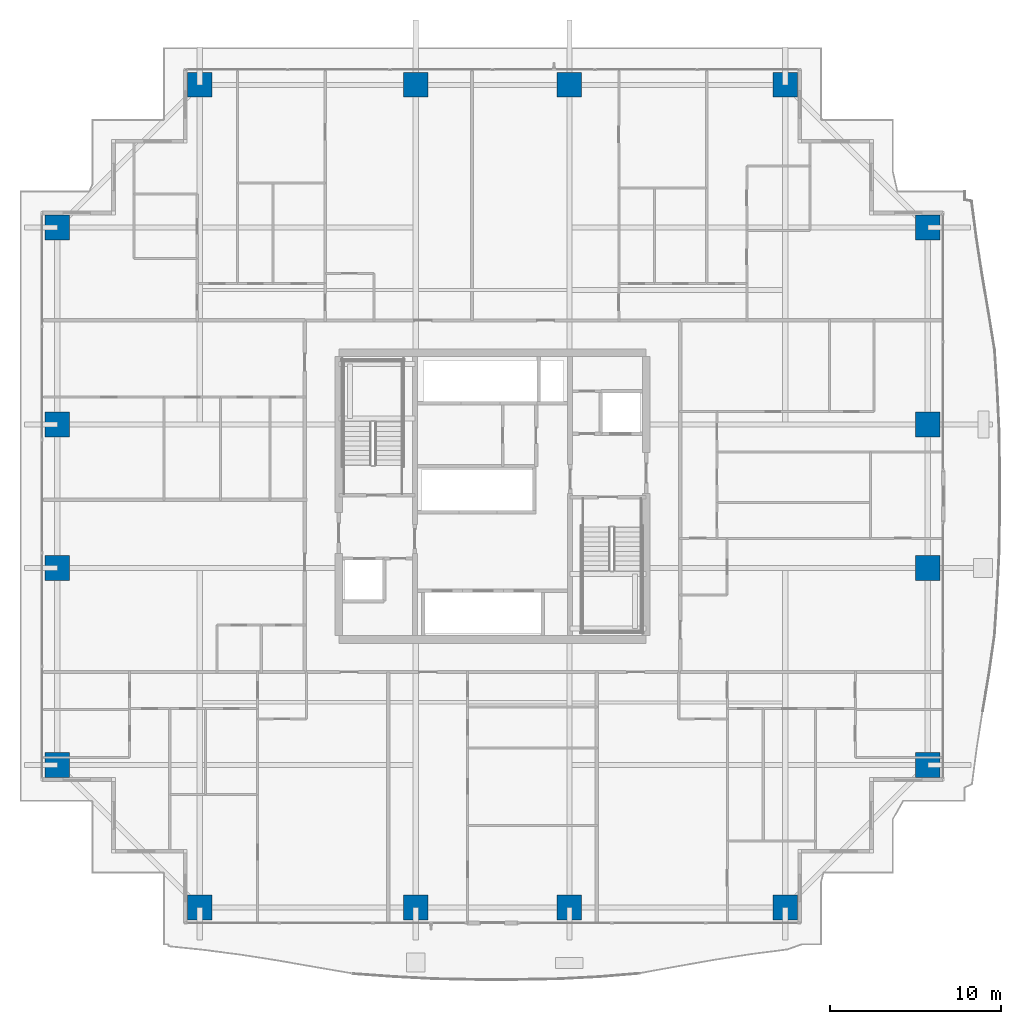
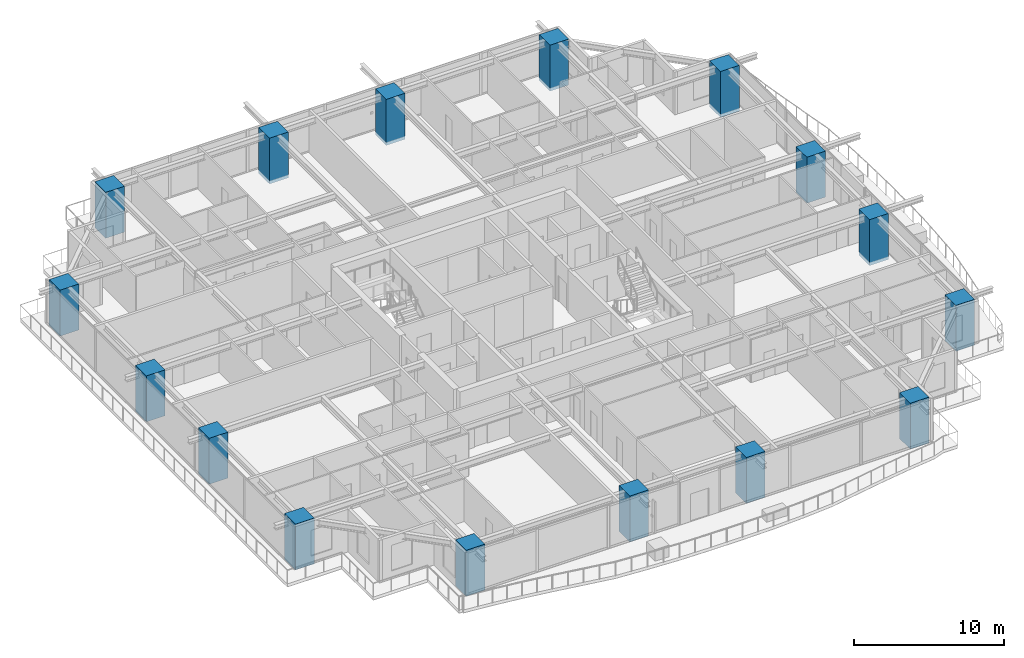
# One storey, part 1 of 39: 16 columns.
"""IFC4 building model written with IfcOpenShell, lengths in metres."""

import ifcopenshell
import ifcopenshell.guid

model = None  # the IFC model being written
_history = None  # IfcOwnerHistory: only IFC2X3 demands one
_inside = {}  # id of a spatial element -> (the spatial element, [elements in it])
_under = {}  # id of a project, library or spatial element -> (it, [spatial elements below it])
_declared = {}  # id of a project -> (the project, [libraries it declares])
_typed = {}  # id of a type object -> (the type object, [elements of that type])
_made_of = {}  # id of a material, layer set ... -> (it, [elements and type objects made of it])


def new_model(schema):
    """Start an empty IFC model of exactly this schema.

    Asked for "IFC4X3", IfcOpenShell would pick the latest addendum, in which some entities
    have other attributes; the version numbers below select the first issue.
    IFC2X3 requires an IfcOwnerHistory on every rooted entity: one is made here for all.
    """
    global model, _history
    if schema == "IFC4X3":
        model = ifcopenshell.file(schema_version=(4, 3, 0, 0))
    else:
        model = ifcopenshell.file(schema=schema)
    _inside.clear()
    _under.clear()
    _declared.clear()
    _typed.clear()
    _made_of.clear()
    _history = None
    if model.schema == "IFC2X3":
        org = make("IfcOrganization", Name="unknown")
        user = make(
            "IfcPersonAndOrganization",
            ThePerson=make("IfcPerson", FamilyName="unknown"),
            TheOrganization=org,
        )
        app = make(
            "IfcApplication",
            ApplicationDeveloper=org,
            Version="unknown",
            ApplicationFullName="unknown",
            ApplicationIdentifier="unknown",
        )
        _history = make(
            "IfcOwnerHistory",
            OwningUser=user,
            OwningApplication=app,
            ChangeAction="ADDED",
            CreationDate=0,
        )
    return model


def make(cls, **values):
    """One entity of the class cls with the attributes given. An attribute that is None is left unset."""
    return model.create_entity(
        cls, **{name: value for name, value in values.items() if value is not None}
    )


def rooted(cls, **values):
    """An entity with a GlobalId (a new one), such as an element, a storey or a relation."""
    return make(cls, GlobalId=ifcopenshell.guid.new(), OwnerHistory=_history, **values)


def si_unit(unit_type, name, prefix=None):
    """IfcSIUnit, for example si_unit("LENGTHUNIT", "METRE", prefix="MILLI")."""
    return make("IfcSIUnit", UnitType=unit_type, Prefix=prefix, Name=name)


def assignment(units):
    """IfcUnitAssignment: the units of a project."""
    return None if units is None else make("IfcUnitAssignment", Units=units)


def point(xyz):
    """IfcCartesianPoint."""
    return None if xyz is None else make("IfcCartesianPoint", Coordinates=xyz)


def direction(xyz):
    """IfcDirection."""
    return None if xyz is None else make("IfcDirection", DirectionRatios=xyz)


def frame(location, z_axis=None, x_axis=None):
    """IfcAxis2Placement3D, a coordinate frame: its origin and axes. An axis left out is left unset."""
    return make(
        "IfcAxis2Placement3D",
        Location=point(location),
        Axis=direction(z_axis),
        RefDirection=direction(x_axis),
    )


def frame_2d(location, x_axis=None):
    """IfcAxis2Placement2D, a coordinate frame in the plane: its origin and x axis."""
    return make(
        "IfcAxis2Placement2D", Location=point(location), RefDirection=direction(x_axis)
    )


def origin():
    """The frame at (0, 0, 0) with its axes left unset."""
    return frame((0.0, 0.0, 0.0))


def origin_2d():
    """The frame at (0, 0) in the plane with its x axis left unset."""
    return frame_2d((0.0, 0.0))


def place(relative_to, where):
    """IfcLocalPlacement: puts the frame where relative to a parent placement (None: the world)."""
    return make(
        "IfcLocalPlacement", PlacementRelTo=relative_to, RelativePlacement=where
    )


def context(
    kind, dimensions, precision=None, world=None, true_north=None, identifier=None
):
    """IfcGeometricRepresentationContext, for example the 3D "Model" context."""
    return make(
        "IfcGeometricRepresentationContext",
        ContextIdentifier=identifier,
        ContextType=kind,
        CoordinateSpaceDimension=dimensions,
        Precision=precision,
        WorldCoordinateSystem=world,
        TrueNorth=true_north,
    )


def subcontext(parent, identifier, kind, view, scale=None):
    """IfcGeometricRepresentationSubContext, for example "Body" below "Model"."""
    return make(
        "IfcGeometricRepresentationSubContext",
        ContextIdentifier=identifier,
        ContextType=kind,
        ParentContext=parent,
        TargetScale=scale,
        TargetView=view,
    )


def project(units=None, contexts=None):
    """IfcProject with its units and contexts."""
    return rooted(
        "IfcProject",
        Name="project",
        RepresentationContexts=contexts,
        UnitsInContext=assignment(units),
    )


def spatial(cls, under=None, at=None, **own):
    """A site, building, storey or space (cls), placed at a placement, below another one or the project."""
    s = rooted(cls, ObjectPlacement=at, **own)
    if under is not None:
        _under.setdefault(under.id(), (under, []))[1].append(s)
    return s


def profile(cls, at=None, kind="AREA", **sizes):
    """A parametric profile (cls). Its sizes go by their IFC names, for example OverallWidth=200.0."""
    return make(cls, ProfileType=kind, Position=at, **sizes)


def rectangle(**sizes):
    """IfcRectangleProfileDef."""
    return profile("IfcRectangleProfileDef", **sizes)


def extrude(swept, where, along, depth):
    """IfcExtrudedAreaSolid: the profile swept, set in the frame where, extruded along a direction by depth."""
    return make(
        "IfcExtrudedAreaSolid",
        SweptArea=swept,
        Position=where,
        ExtrudedDirection=direction(along),
        Depth=depth,
    )


def shape(context_of_items, identifier, shape_type, items):
    """IfcShapeRepresentation: the items that make up one representation, for example the "Body"."""
    return make(
        "IfcShapeRepresentation",
        ContextOfItems=context_of_items,
        RepresentationIdentifier=identifier,
        RepresentationType=shape_type,
        Items=items,
    )


def source(mapping_origin, context_of_items, identifier, shape_type, items):
    """IfcRepresentationMap: a shape defined once, which mapped items show again and again."""
    return make(
        "IfcRepresentationMap",
        MappingOrigin=mapping_origin,
        MappedRepresentation=shape(context_of_items, identifier, shape_type, items),
    )


def transform(
    local_origin,
    x_axis=None,
    y_axis=None,
    z_axis=None,
    scale=None,
    scale2=None,
    scale3=None,
    uniform=True,
):
    """IfcCartesianTransformationOperator3D, or its non-uniform kind. x_axis, y_axis, z_axis: its Axis1, 2, 3."""
    if uniform:
        return make(
            "IfcCartesianTransformationOperator3D",
            Axis1=direction(x_axis),
            Axis2=direction(y_axis),
            LocalOrigin=point(local_origin),
            Scale=scale,
            Axis3=direction(z_axis),
        )
    return make(
        "IfcCartesianTransformationOperator3DnonUniform",
        Axis1=direction(x_axis),
        Axis2=direction(y_axis),
        LocalOrigin=point(local_origin),
        Scale=scale,
        Axis3=direction(z_axis),
        Scale2=scale2,
        Scale3=scale3,
    )


def mapped(mapping_source, mapping_target):
    """IfcMappedItem: shows the shape of a source again, moved by a transform."""
    return make(
        "IfcMappedItem", MappingSource=mapping_source, MappingTarget=mapping_target
    )


def material(Name=None, Category=None):
    """IfcMaterial."""
    return make("IfcMaterial", Name=Name, Category=Category)


def material_profile(
    of_material, cross_section, Name=None, Category=None, Priority=None
):
    """IfcMaterialProfile: a cross section and its material."""
    return make(
        "IfcMaterialProfile",
        Name=Name,
        Material=of_material,
        Profile=cross_section,
        Priority=Priority,
        Category=Category,
    )


def profile_set(profiles, Name=None, composite=None):
    """IfcMaterialProfileSet."""
    return make(
        "IfcMaterialProfileSet",
        Name=Name,
        MaterialProfiles=profiles,
        CompositeProfile=composite,
    )


def made_of(thing, what):
    """Note that an element or type object is made of a material, layer set ...; save() writes the relation."""
    if what is not None:
        _made_of.setdefault(what.id(), (what, []))[1].append(thing)
    return thing


def type_object(cls, material=None, **own):
    """A type object (cls), such as IfcWallType, which elements share."""
    return made_of(rooted(cls, **own), material)


def element(
    cls,
    number,
    at=None,
    inside=None,
    cuts=None,
    type_object=None,
    material=None,
    context=None,
    identifier="Body",
    shape_type=None,
    held_by="IfcProductDefinitionShape",
    body=None,
    shapes=None,
    **own,
):
    """One element of the class cls, such as IfcWall. Its Tag is "e" and its number.

    at: its placement. inside: the storey or other place that contains it. cuts: it is an
    opening in that element (IfcRelVoidsElement). A single representation is given by context,
    identifier, shape_type and body (its items); several are given by shapes. held_by: the class
    of the entity that holds the representations. save() writes the other relations.
    """
    e = rooted(cls, Tag="e%d" % number, ObjectPlacement=at, **own)
    if body is not None:
        shapes = [shape(context, identifier, shape_type, body)]
    if shapes is not None:
        e.Representation = make(held_by, Representations=shapes)
    if inside is not None:
        _inside.setdefault(inside.id(), (inside, []))[1].append(e)
    if cuts is not None:
        rooted(
            "IfcRelVoidsElement", RelatingBuildingElement=cuts, RelatedOpeningElement=e
        )
    if type_object is not None:
        _typed.setdefault(type_object.id(), (type_object, []))[1].append(e)
    return made_of(e, material)


def aggregate(whole, parts):
    """IfcRelAggregates: a whole, such as a stair, and the parts it consists of."""
    return rooted("IfcRelAggregates", RelatingObject=whole, RelatedObjects=parts)


def save(model, path):
    """Write the relations noted so far, then the file.

    IfcRelAggregates (storeys below a building ...), IfcRelContainedInSpatialStructure (elements
    in a storey), IfcRelDefinesByType, IfcRelAssociatesMaterial and IfcRelDeclares: one each for
    every whole, place, type object, material and project.
    """
    for whole, parts in _under.values():
        aggregate(whole, parts)
    for where, things in _inside.values():
        rooted(
            "IfcRelContainedInSpatialStructure",
            RelatedElements=things,
            RelatingStructure=where,
        )
    for kind, things in _typed.values():
        rooted("IfcRelDefinesByType", RelatedObjects=things, RelatingType=kind)
    for what, things in _made_of.values():
        rooted("IfcRelAssociatesMaterial", RelatedObjects=things, RelatingMaterial=what)
    for by, libraries in _declared.values():
        rooted("IfcRelDeclares", RelatingContext=by, RelatedDefinitions=libraries)
    model.write(path)


model = new_model("IFC4")

# Units and contexts
model_context = context("Model", 3, precision=1e-05, world=origin(), true_north=direction((0.0, 1.0)))
body_context = subcontext(model_context, "Body", "Model", "MODEL_VIEW")
ifc_project = project(units=[si_unit("LENGTHUNIT", "METRE"), si_unit("AREAUNIT", "SQUARE_METRE"), si_unit("VOLUMEUNIT", "CUBIC_METRE"), si_unit("PLANEANGLEUNIT", "RADIAN"), si_unit("MASSUNIT", "GRAM", prefix="KILO")], contexts=[model_context])

# Site, building, storey
site_placement = place(None, origin())
site = spatial("IfcSite", under=ifc_project, at=site_placement, CompositionType="ELEMENT")
building_placement = place(site_placement, origin())
building = spatial("IfcBuilding", under=site, at=building_placement, Name="Serunith Strait Residences", CompositionType="ELEMENT")
storey_placement = place(building_placement, frame((0.0, 0.0, 64.199951171875)))
storey = spatial("IfcBuildingStorey", under=building, at=storey_placement, Name="L15", CompositionType="ELEMENT", Elevation=64.199951171875)

# Columns
ifc_material = material(Name="Concrete C90/105", Category="concrete")
ifc_material_profile = material_profile(ifc_material, rectangle(XDim=1.449951171875, YDim=1.449951171875, at=origin_2d()), Name="RC 1450x1450")
ifc_profile_set = profile_set([ifc_material_profile], Name="Concrete C90/105")
column_type = type_object("IfcColumnType", Name="COL-RC-1450", PredefinedType="COLUMN", material=ifc_profile_set)
shared_shape = source(origin(), body_context, "Body", "SweptSolid", [
    extrude(rectangle(XDim=1.449951171875, YDim=1.449951171875, at=origin_2d()), origin(), (0.0, 0.0, 1.0), 3.75),
])
for number, where, z_axis, x_axis, name in (
    (1, (15.25, 1.10009765625, -0.260009765625), (0.0, 0.0, 1.0), (1.0, 0.0, 0.0), "L15 Tower Mega-Column TC-S1"),
    (2, (27.89990234375, 1.10009765625, -0.260009765625), (0.0, 0.0, 1.0), (1.0, 0.0, 0.0), "L15 Tower Mega-Column TC-S2"),
    (3, (36.89990234375, 1.10009765625, -0.260009765625), (0.0, 0.0, 1.0), (1.0, 0.0, 0.0), "L15 Tower Mega-Column TC-S3"),
    (4, (49.550048828125, 1.10009765625, -0.260009765625), (0.0, 0.0, 1.0), (1.0, 0.0, 0.0), "L15 Tower Mega-Column TC-S4"),
    (5, (15.25, 49.300048828125, -0.260009765625), (0.0, 0.0, 1.0), (1.0, 0.0, 0.0), "L15 Tower Mega-Column TC-N1"),
    (6, (27.89990234375, 49.300048828125, -0.260009765625), (0.0, 0.0, 1.0), (1.0, 0.0, 0.0), "L15 Tower Mega-Column TC-N2"),
    (7, (36.89990234375, 49.300048828125, -0.260009765625), (0.0, 0.0, 1.0), (1.0, 0.0, 0.0), "L15 Tower Mega-Column TC-N3"),
    (8, (49.550048828125, 49.300048828125, -0.260009765625), (0.0, 0.0, 1.0), (1.0, 0.0, 0.0), "L15 Tower Mega-Column TC-N4"),
    (9, (57.89990234375, 9.449951171875, -0.260009765625), (0.0, 0.0, 1.0), (1.0, 0.0, 0.0), "L15 Tower Mega-Column TC-E1"),
    (10, (57.89990234375, 21.0, -0.260009765625), (0.0, 0.0, 1.0), (1.0, 0.0, 0.0), "L15 Tower Mega-Column TC-E2"),
    (11, (57.89990234375, 29.39990234375, -0.260009765625), (0.0, 0.0, 1.0), (1.0, 0.0, 0.0), "L15 Tower Mega-Column TC-E3"),
    (12, (57.89990234375, 40.949951171875, -0.260009765625), (0.0, 0.0, 1.0), (1.0, 0.0, 0.0), "L15 Tower Mega-Column TC-E4"),
    (13, (6.89990234375, 9.449951171875, -0.260009765625), (0.0, 0.0, 1.0), (1.0, 0.0, 0.0), "L15 Tower Mega-Column TC-W1"),
    (14, (6.89990234375, 21.0, -0.260009765625), (0.0, 0.0, 1.0), (1.0, 0.0, 0.0), "L15 Tower Mega-Column TC-W2"),
    (15, (6.89990234375, 29.39990234375, -0.260009765625), (0.0, 0.0, 1.0), (1.0, 0.0, 0.0), "L15 Tower Mega-Column TC-W3"),
    (16, (6.89990234375, 40.949951171875, -0.260009765625), (0.0, 0.0, 1.0), (1.0, 0.0, 0.0), "L15 Tower Mega-Column TC-W4"),
):
    element("IfcColumn", number, at=place(storey_placement, frame(where, z_axis=z_axis, x_axis=x_axis)), inside=storey, type_object=column_type, Name=name, PredefinedType="COLUMN", context=body_context, shape_type="MappedRepresentation", body=[
        mapped(shared_shape, transform((0.0, 0.0, 0.0), scale=1.0)),
    ])

save(model, "model.ifc")
